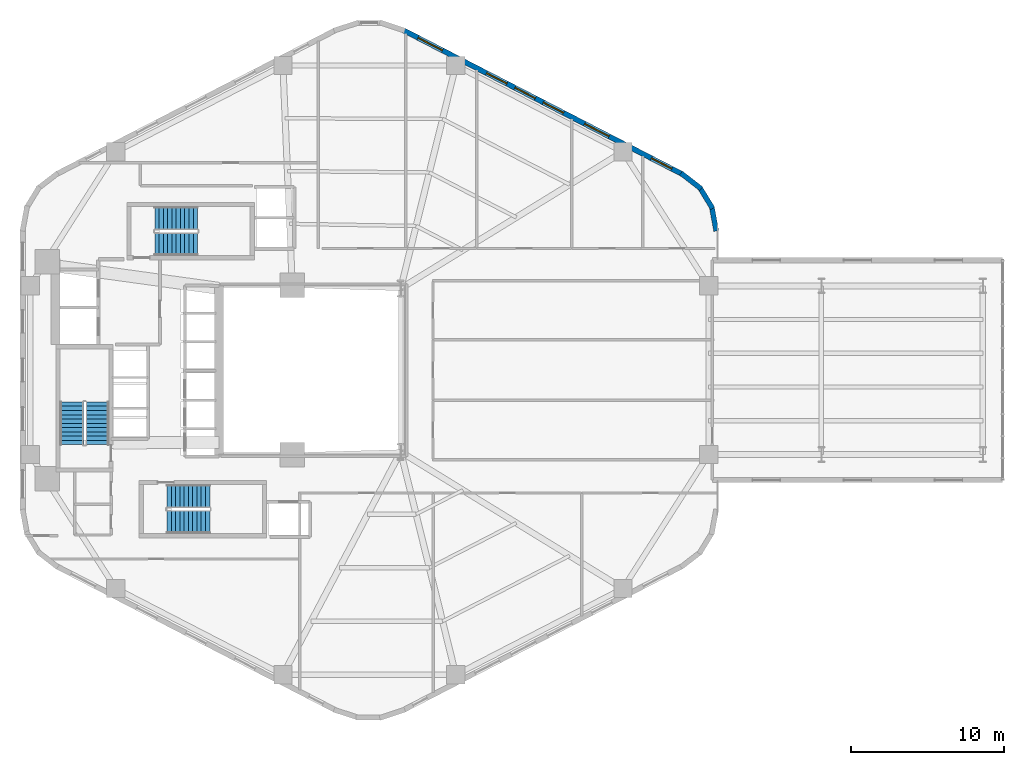
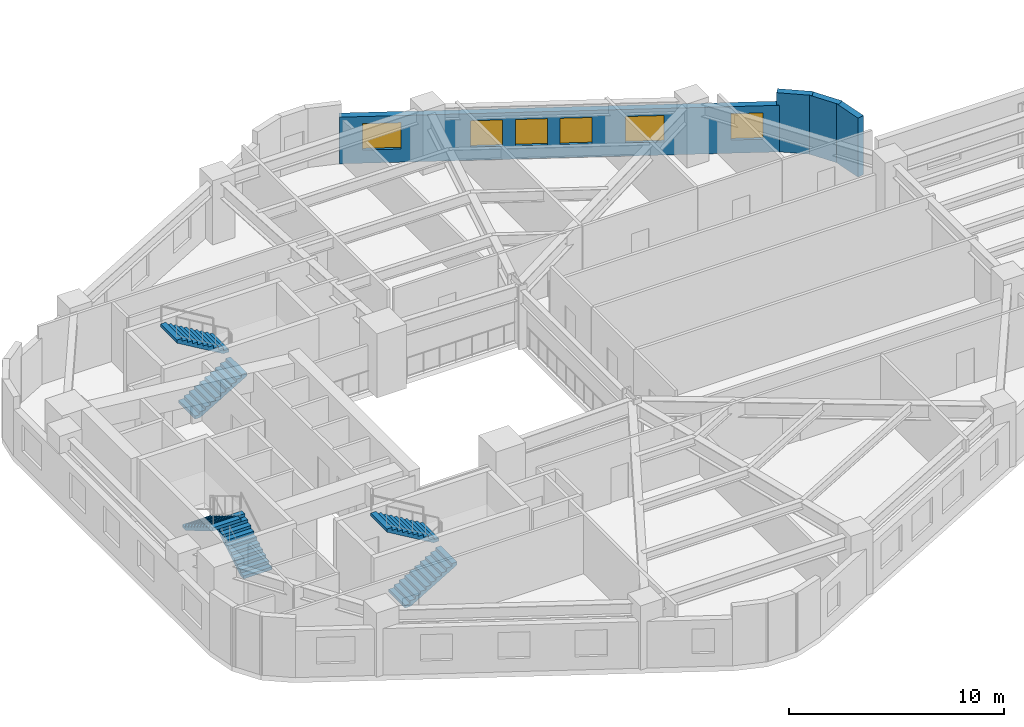
# One storey, part 8 of 10: 6 stair flights, 6 windows, 4 walls, 6 openings, 3 elements without a shape of their own.
"""IFC4 building model written with IfcOpenShell, lengths in metres."""

import ifcopenshell
import ifcopenshell.guid

model = None  # the IFC model being written
_history = None  # IfcOwnerHistory: only IFC2X3 demands one
_inside = {}  # id of a spatial element -> (the spatial element, [elements in it])
_under = {}  # id of a project, library or spatial element -> (it, [spatial elements below it])
_declared = {}  # id of a project -> (the project, [libraries it declares])
_typed = {}  # id of a type object -> (the type object, [elements of that type])
_made_of = {}  # id of a material, layer set ... -> (it, [elements and type objects made of it])


def new_model(schema):
    """Start an empty IFC model of exactly this schema.

    Asked for "IFC4X3", IfcOpenShell would pick the latest addendum, in which some entities
    have other attributes; the version numbers below select the first issue.
    IFC2X3 requires an IfcOwnerHistory on every rooted entity: one is made here for all.
    """
    global model, _history
    if schema == "IFC4X3":
        model = ifcopenshell.file(schema_version=(4, 3, 0, 0))
    else:
        model = ifcopenshell.file(schema=schema)
    _inside.clear()
    _under.clear()
    _declared.clear()
    _typed.clear()
    _made_of.clear()
    _history = None
    if model.schema == "IFC2X3":
        org = make("IfcOrganization", Name="unknown")
        user = make(
            "IfcPersonAndOrganization",
            ThePerson=make("IfcPerson", FamilyName="unknown"),
            TheOrganization=org,
        )
        app = make(
            "IfcApplication",
            ApplicationDeveloper=org,
            Version="unknown",
            ApplicationFullName="unknown",
            ApplicationIdentifier="unknown",
        )
        _history = make(
            "IfcOwnerHistory",
            OwningUser=user,
            OwningApplication=app,
            ChangeAction="ADDED",
            CreationDate=0,
        )
    return model


def make(cls, **values):
    """One entity of the class cls with the attributes given. An attribute that is None is left unset."""
    return model.create_entity(
        cls, **{name: value for name, value in values.items() if value is not None}
    )


def rooted(cls, **values):
    """An entity with a GlobalId (a new one), such as an element, a storey or a relation."""
    return make(cls, GlobalId=ifcopenshell.guid.new(), OwnerHistory=_history, **values)


def si_unit(unit_type, name, prefix=None):
    """IfcSIUnit, for example si_unit("LENGTHUNIT", "METRE", prefix="MILLI")."""
    return make("IfcSIUnit", UnitType=unit_type, Prefix=prefix, Name=name)


def assignment(units):
    """IfcUnitAssignment: the units of a project."""
    return None if units is None else make("IfcUnitAssignment", Units=units)


def point(xyz):
    """IfcCartesianPoint."""
    return None if xyz is None else make("IfcCartesianPoint", Coordinates=xyz)


def direction(xyz):
    """IfcDirection."""
    return None if xyz is None else make("IfcDirection", DirectionRatios=xyz)


def frame(location, z_axis=None, x_axis=None):
    """IfcAxis2Placement3D, a coordinate frame: its origin and axes. An axis left out is left unset."""
    return make(
        "IfcAxis2Placement3D",
        Location=point(location),
        Axis=direction(z_axis),
        RefDirection=direction(x_axis),
    )


def frame_2d(location, x_axis=None):
    """IfcAxis2Placement2D, a coordinate frame in the plane: its origin and x axis."""
    return make(
        "IfcAxis2Placement2D", Location=point(location), RefDirection=direction(x_axis)
    )


def origin():
    """The frame at (0, 0, 0) with its axes left unset."""
    return frame((0.0, 0.0, 0.0))


def place(relative_to, where):
    """IfcLocalPlacement: puts the frame where relative to a parent placement (None: the world)."""
    return make(
        "IfcLocalPlacement", PlacementRelTo=relative_to, RelativePlacement=where
    )


def context(
    kind, dimensions, precision=None, world=None, true_north=None, identifier=None
):
    """IfcGeometricRepresentationContext, for example the 3D "Model" context."""
    return make(
        "IfcGeometricRepresentationContext",
        ContextIdentifier=identifier,
        ContextType=kind,
        CoordinateSpaceDimension=dimensions,
        Precision=precision,
        WorldCoordinateSystem=world,
        TrueNorth=true_north,
    )


def subcontext(parent, identifier, kind, view, scale=None):
    """IfcGeometricRepresentationSubContext, for example "Body" below "Model"."""
    return make(
        "IfcGeometricRepresentationSubContext",
        ContextIdentifier=identifier,
        ContextType=kind,
        ParentContext=parent,
        TargetScale=scale,
        TargetView=view,
    )


def project(units=None, contexts=None):
    """IfcProject with its units and contexts."""
    return rooted(
        "IfcProject",
        Name="project",
        RepresentationContexts=contexts,
        UnitsInContext=assignment(units),
    )


def spatial(cls, under=None, at=None, **own):
    """A site, building, storey or space (cls), placed at a placement, below another one or the project."""
    s = rooted(cls, ObjectPlacement=at, **own)
    if under is not None:
        _under.setdefault(under.id(), (under, []))[1].append(s)
    return s


def polyline(points):
    """IfcPolyline through the points."""
    return make("IfcPolyline", Points=[point(p) for p in points])


def profile(cls, at=None, kind="AREA", **sizes):
    """A parametric profile (cls). Its sizes go by their IFC names, for example OverallWidth=200.0."""
    return make(cls, ProfileType=kind, Position=at, **sizes)


def rectangle(**sizes):
    """IfcRectangleProfileDef."""
    return profile("IfcRectangleProfileDef", **sizes)


def outline(outer, holes=None, kind="AREA"):
    """IfcArbitraryClosedProfileDef: a profile drawn as a closed curve; with holes, ...WithVoids."""
    if holes is None:
        return make("IfcArbitraryClosedProfileDef", ProfileType=kind, OuterCurve=outer)
    return make(
        "IfcArbitraryProfileDefWithVoids",
        ProfileType=kind,
        OuterCurve=outer,
        InnerCurves=holes,
    )


def extrude(swept, where, along, depth):
    """IfcExtrudedAreaSolid: the profile swept, set in the frame where, extruded along a direction by depth."""
    return make(
        "IfcExtrudedAreaSolid",
        SweptArea=swept,
        Position=where,
        ExtrudedDirection=direction(along),
        Depth=depth,
    )


def shape(context_of_items, identifier, shape_type, items):
    """IfcShapeRepresentation: the items that make up one representation, for example the "Body"."""
    return make(
        "IfcShapeRepresentation",
        ContextOfItems=context_of_items,
        RepresentationIdentifier=identifier,
        RepresentationType=shape_type,
        Items=items,
    )


def material(Name=None, Category=None):
    """IfcMaterial."""
    return make("IfcMaterial", Name=Name, Category=Category)


def layer(
    of_material, thickness, ventilated=None, Name=None, Category=None, Priority=None
):
    """IfcMaterialLayer: one layer of a wall or slab, of a material (None: an air gap)."""
    return make(
        "IfcMaterialLayer",
        Material=of_material,
        LayerThickness=thickness,
        IsVentilated=ventilated,
        Name=Name,
        Category=Category,
        Priority=Priority,
    )


def layer_set(layers, Name=None):
    """IfcMaterialLayerSet."""
    return make("IfcMaterialLayerSet", MaterialLayers=layers, LayerSetName=Name)


def made_of(thing, what):
    """Note that an element or type object is made of a material, layer set ...; save() writes the relation."""
    if what is not None:
        _made_of.setdefault(what.id(), (what, []))[1].append(thing)
    return thing


def type_object(cls, material=None, **own):
    """A type object (cls), such as IfcWallType, which elements share."""
    return made_of(rooted(cls, **own), material)


def element(
    cls,
    number,
    at=None,
    inside=None,
    cuts=None,
    type_object=None,
    material=None,
    context=None,
    identifier="Body",
    shape_type=None,
    held_by="IfcProductDefinitionShape",
    body=None,
    shapes=None,
    **own,
):
    """One element of the class cls, such as IfcWall. Its Tag is "e" and its number.

    at: its placement. inside: the storey or other place that contains it. cuts: it is an
    opening in that element (IfcRelVoidsElement). A single representation is given by context,
    identifier, shape_type and body (its items); several are given by shapes. held_by: the class
    of the entity that holds the representations. save() writes the other relations.
    """
    e = rooted(cls, Tag="e%d" % number, ObjectPlacement=at, **own)
    if body is not None:
        shapes = [shape(context, identifier, shape_type, body)]
    if shapes is not None:
        e.Representation = make(held_by, Representations=shapes)
    if inside is not None:
        _inside.setdefault(inside.id(), (inside, []))[1].append(e)
    if cuts is not None:
        rooted(
            "IfcRelVoidsElement", RelatingBuildingElement=cuts, RelatedOpeningElement=e
        )
    if type_object is not None:
        _typed.setdefault(type_object.id(), (type_object, []))[1].append(e)
    return made_of(e, material)


def fill(opening, filler):
    """IfcRelFillsElement: the door or window that sits in an opening."""
    return rooted(
        "IfcRelFillsElement",
        RelatingOpeningElement=opening,
        RelatedBuildingElement=filler,
    )


def aggregate(whole, parts):
    """IfcRelAggregates: a whole, such as a stair, and the parts it consists of."""
    return rooted("IfcRelAggregates", RelatingObject=whole, RelatedObjects=parts)


def save(model, path):
    """Write the relations noted so far, then the file.

    IfcRelAggregates (storeys below a building ...), IfcRelContainedInSpatialStructure (elements
    in a storey), IfcRelDefinesByType, IfcRelAssociatesMaterial and IfcRelDeclares: one each for
    every whole, place, type object, material and project.
    """
    for whole, parts in _under.values():
        aggregate(whole, parts)
    for where, things in _inside.values():
        rooted(
            "IfcRelContainedInSpatialStructure",
            RelatedElements=things,
            RelatingStructure=where,
        )
    for kind, things in _typed.values():
        rooted("IfcRelDefinesByType", RelatedObjects=things, RelatingType=kind)
    for what, things in _made_of.values():
        rooted("IfcRelAssociatesMaterial", RelatedObjects=things, RelatingMaterial=what)
    for by, libraries in _declared.values():
        rooted("IfcRelDeclares", RelatingContext=by, RelatedDefinitions=libraries)
    model.write(path)


model = new_model("IFC4")

# Units and contexts
model_context = context("Model", 3, precision=1e-05, world=origin(), true_north=direction((0.0, 1.0)))
body_context = subcontext(model_context, "Body", "Model", "MODEL_VIEW")
ifc_project = project(units=[si_unit("LENGTHUNIT", "METRE"), si_unit("AREAUNIT", "SQUARE_METRE"), si_unit("VOLUMEUNIT", "CUBIC_METRE"), si_unit("PLANEANGLEUNIT", "RADIAN"), si_unit("MASSUNIT", "GRAM", prefix="KILO"), si_unit("THERMODYNAMICTEMPERATUREUNIT", "KELVIN"), si_unit("POWERUNIT", "WATT")], contexts=[model_context])

# Site, building, storey
site_placement = place(None, origin())
site = spatial("IfcSite", under=ifc_project, at=site_placement, CompositionType="ELEMENT")
building_placement = place(site_placement, origin())
building = spatial("IfcBuilding", under=site, at=building_placement, Name="Skarre Station Tower", CompositionType="ELEMENT")
storey_placement = place(building_placement, frame((0.0, 0.0, 52.550048828125)))
storey = spatial("IfcBuildingStorey", under=building, at=storey_placement, Name="L13", CompositionType="ELEMENT", Elevation=52.550048828125)

# Wall, openings, windows
ifc_material_1 = material(Name="Precast concrete C45/55", Category="concrete")
ifc_layer_1 = layer(ifc_material_1, 0.340087890625, Name="Precast concrete C45/55")
ifc_layer_set_1 = layer_set([ifc_layer_1], Name="Precast concrete C45/55")
wall_type_1 = type_object("IfcWallType", Name="Nordic Honed Precast Facet Wall 340", PredefinedType="STANDARD", material=ifc_layer_set_1)
wall_1_placement = place(storey_placement, frame((39.631103515625, 46.257080078125, 0.0), z_axis=(0.0, 0.0, 1.0), x_axis=(0.888634413993, -0.458616264721, 0.0)))
wall_1 = element("IfcWall", 1, at=wall_1_placement, inside=storey, type_object=wall_type_1, Name="L13 Facet 0 Nordic Precast Masonry Wall", PredefinedType="STANDARD", context=body_context, shape_type="SweptSolid", body=[
    extrude(rectangle(XDim=20.53125, YDim=0.340087890625, at=frame_2d((10.265625, 0.0))), origin(), (0.0, 0.0, 1.0), 2.654052734375),
])
opening_1_placement = place(wall_1_placement, frame((1.075927734375, 0.0, 0.75)))
opening_1 = element("IfcOpeningElement", 2, at=opening_1_placement, cuts=wall_1, Name="Opening WN-Z1A", PredefinedType="OPENING", context=body_context, shape_type="SweptSolid", body=[
    extrude(rectangle(XDim=1.800048828125, YDim=1.5, at=frame_2d((0.89990234375, 0.75))), frame((0.0, 0.179931640625, 0.0), z_axis=(0.0, -1.0, 0.0), x_axis=(1.0, 0.0, 0.0)), (0.0, 0.0, 1.0), 0.360107421875),
])
opening_2_placement = place(wall_1_placement, frame((6.1220703125, 0.0, 0.75)))
opening_2 = element("IfcOpeningElement", 3, at=opening_2_placement, cuts=wall_1, Name="Opening WN-Z1B", PredefinedType="OPENING", context=body_context, shape_type="SweptSolid", body=[
    extrude(rectangle(XDim=1.5, YDim=1.5, at=frame_2d((0.75, 0.75))), frame((0.0, 0.179931640625, 0.0), z_axis=(0.0, -1.0, 0.0), x_axis=(1.0, 0.0, 0.0)), (0.0, 0.0, 1.0), 0.360107421875),
])
opening_3_placement = place(wall_1_placement, frame((8.2109375, 0.0, 0.75)))
opening_3 = element("IfcOpeningElement", 4, at=opening_3_placement, cuts=wall_1, Name="Opening WN-Z1B", PredefinedType="OPENING", context=body_context, shape_type="SweptSolid", body=[
    extrude(rectangle(XDim=1.5, YDim=1.5, at=frame_2d((0.75, 0.75))), frame((0.0, 0.179931640625, 0.0), z_axis=(0.0, -1.0, 0.0), x_axis=(1.0, 0.0, 0.0)), (0.0, 0.0, 1.0), 0.360107421875),
])
opening_4_placement = place(wall_1_placement, frame((10.299072265625, 0.0, 0.75)))
opening_4 = element("IfcOpeningElement", 5, at=opening_4_placement, cuts=wall_1, Name="Opening WN-Z1B", PredefinedType="OPENING", context=body_context, shape_type="SweptSolid", body=[
    extrude(rectangle(XDim=1.5, YDim=1.5, at=frame_2d((0.75, 0.75))), frame((0.0, 0.179931640625, 0.0), z_axis=(0.0, -1.0, 0.0), x_axis=(1.0, 0.0, 0.0)), (0.0, 0.0, 1.0), 0.360107421875),
])
opening_5_placement = place(wall_1_placement, frame((13.35205078125, 0.0, 0.75)))
opening_5 = element("IfcOpeningElement", 6, at=opening_5_placement, cuts=wall_1, Name="Opening WN-Z1A", PredefinedType="OPENING", context=body_context, shape_type="SweptSolid", body=[
    extrude(rectangle(XDim=1.800048828125, YDim=1.5, at=frame_2d((0.89990234375, 0.75))), frame((0.0, 0.179931640625, 0.0), z_axis=(0.0, -1.0, 0.0), x_axis=(1.0, 0.0, 0.0)), (0.0, 0.0, 1.0), 0.360107421875),
])
opening_6_placement = place(wall_1_placement, frame((18.27197265625, 0.0, 0.75)))
opening_6 = element("IfcOpeningElement", 7, at=opening_6_placement, cuts=wall_1, Name="Opening WN-Z1B", PredefinedType="OPENING", context=body_context, shape_type="SweptSolid", body=[
    extrude(rectangle(XDim=1.5, YDim=1.5, at=frame_2d((0.75, 0.75))), frame((0.0, 0.179931640625, 0.0), z_axis=(0.0, -1.0, 0.0), x_axis=(1.0, 0.0, 0.0)), (0.0, 0.0, 1.0), 0.360107421875),
])
ifc_material_2 = material(Name="Low-Iron Triple Glazing with Bronze Anodized Frame", Category="glass")
window_type_1 = type_object("IfcWindowType", Name="Nordic Punched Triple-Glazed Window 1500x1500", PartitioningType="SINGLE_PANEL", PredefinedType="WINDOW", material=ifc_material_2)
window_1_placement = place(opening_2_placement, origin())
window_1 = element("IfcWindow", 8, at=window_1_placement, inside=storey, type_object=window_type_1, Name="L13 Facade Window WL-FAC-L13-F0-2", OverallHeight=1.5, OverallWidth=1.5, PartitioningType="SINGLE_PANEL", PredefinedType="WINDOW", context=body_context, shape_type="SweptSolid", body=[
    extrude(rectangle(XDim=1.5, YDim=1.5, at=frame_2d((0.75, 0.75))), frame((0.0, 0.030029296875, 0.0), z_axis=(0.0, -1.0, 0.0), x_axis=(1.0, 0.0, 0.0)), (0.0, 0.0, 1.0), 0.06005859375),
])
fill(opening_2, window_1)
window_2_placement = place(opening_3_placement, origin())
window_2 = element("IfcWindow", 9, at=window_2_placement, inside=storey, type_object=window_type_1, Name="L13 Facade Window WL-FAC-L13-F0-3", OverallHeight=1.5, OverallWidth=1.5, PartitioningType="SINGLE_PANEL", PredefinedType="WINDOW", context=body_context, shape_type="SweptSolid", body=[
    extrude(rectangle(XDim=1.5, YDim=1.5, at=frame_2d((0.75, 0.75))), frame((0.0, 0.030029296875, 0.0), z_axis=(0.0, -1.0, 0.0), x_axis=(1.0, 0.0, 0.0)), (0.0, 0.0, 1.0), 0.06005859375),
])
fill(opening_3, window_2)
window_3_placement = place(opening_4_placement, origin())
window_3 = element("IfcWindow", 10, at=window_3_placement, inside=storey, type_object=window_type_1, Name="L13 Facade Window WL-FAC-L13-F0-4", OverallHeight=1.5, OverallWidth=1.5, PartitioningType="SINGLE_PANEL", PredefinedType="WINDOW", context=body_context, shape_type="SweptSolid", body=[
    extrude(rectangle(XDim=1.5, YDim=1.5, at=frame_2d((0.75, 0.75))), frame((0.0, 0.030029296875, 0.0), z_axis=(0.0, -1.0, 0.0), x_axis=(1.0, 0.0, 0.0)), (0.0, 0.0, 1.0), 0.06005859375),
])
fill(opening_4, window_3)
window_4_placement = place(opening_6_placement, origin())
window_4 = element("IfcWindow", 11, at=window_4_placement, inside=storey, type_object=window_type_1, Name="L13 Facade Window WL-FAC-L13-F0-6", OverallHeight=1.5, OverallWidth=1.5, PartitioningType="SINGLE_PANEL", PredefinedType="WINDOW", context=body_context, shape_type="SweptSolid", body=[
    extrude(rectangle(XDim=1.5, YDim=1.5, at=frame_2d((0.75, 0.75))), frame((0.0, 0.030029296875, 0.0), z_axis=(0.0, -1.0, 0.0), x_axis=(1.0, 0.0, 0.0)), (0.0, 0.0, 1.0), 0.06005859375),
])
fill(opening_6, window_4)
window_type_2 = type_object("IfcWindowType", Name="Nordic Punched Triple-Glazed Window 1800x1500", PartitioningType="SINGLE_PANEL", PredefinedType="WINDOW", material=ifc_material_2)
window_5_placement = place(opening_1_placement, origin())
window_5 = element("IfcWindow", 12, at=window_5_placement, inside=storey, type_object=window_type_2, Name="L13 Facade Window WL-FAC-L13-F0-1", OverallHeight=1.5, OverallWidth=1.800048828125, PartitioningType="SINGLE_PANEL", PredefinedType="WINDOW", context=body_context, shape_type="SweptSolid", body=[
    extrude(rectangle(XDim=1.800048828125, YDim=1.5, at=frame_2d((0.89990234375, 0.75))), frame((0.0, 0.030029296875, 0.0), z_axis=(0.0, -1.0, 0.0), x_axis=(1.0, 0.0, 0.0)), (0.0, 0.0, 1.0), 0.06005859375),
])
fill(opening_1, window_5)
window_6_placement = place(opening_5_placement, origin())
window_6 = element("IfcWindow", 13, at=window_6_placement, inside=storey, type_object=window_type_2, Name="L13 Facade Window WL-FAC-L13-F0-5", OverallHeight=1.5, OverallWidth=1.800048828125, PartitioningType="SINGLE_PANEL", PredefinedType="WINDOW", context=body_context, shape_type="SweptSolid", body=[
    extrude(rectangle(XDim=1.800048828125, YDim=1.5, at=frame_2d((0.89990234375, 0.75))), frame((0.0, 0.030029296875, 0.0), z_axis=(0.0, -1.0, 0.0), x_axis=(1.0, 0.0, 0.0)), (0.0, 0.0, 1.0), 0.06005859375),
])
fill(opening_5, window_6)

# Walls
ifc_layer_2 = layer(ifc_material_1, 0.330078125, Name="Precast concrete C45/55")
ifc_layer_set_2 = layer_set([ifc_layer_2], Name="Precast concrete C45/55")
wall_type_2 = type_object("IfcWallType", Name="Nordic Rounded Corner Precast Wall 330", PredefinedType="STANDARD", material=ifc_layer_set_2)
wall_2_placement = place(storey_placement, frame((57.802001953125, 36.90087890625, 0.0), z_axis=(0.0, 0.0, 1.0), x_axis=(0.790691856293, -0.61221433207, 0.0)))
element("IfcWall", 14, at=wall_2_placement, inside=storey, type_object=wall_type_2, Name="L13 Rounded Corner Precast Wall F0-1", PredefinedType="STANDARD", context=body_context, shape_type="SweptSolid", body=[
    extrude(rectangle(XDim=1.67578125, YDim=0.330078125, at=frame_2d((0.837890625, 0.0))), origin(), (0.0, 0.0, 1.0), 3.35986328125),
])
wall_3_placement = place(storey_placement, frame((59.001953125, 36.014892578125, 0.0), z_axis=(0.0, 0.0, 1.0), x_axis=(0.520584129191, -0.853810379671, 0.0)))
element("IfcWall", 15, at=wall_3_placement, inside=storey, type_object=wall_type_2, Name="L13 Rounded Corner Precast Wall F0-2", PredefinedType="STANDARD", context=body_context, shape_type="SweptSolid", body=[
    extrude(rectangle(XDim=1.677001953125, YDim=0.330078125, at=frame_2d((0.83837890625, 0.0))), origin(), (0.0, 0.0, 1.0), 3.35986328125),
])
wall_4_placement = place(storey_placement, frame((59.80810546875, 34.758056640625, 0.0), z_axis=(0.0, 0.0, 1.0), x_axis=(0.181714143354, -0.983351397063, 0.0)))
element("IfcWall", 16, at=wall_4_placement, inside=storey, type_object=wall_type_2, Name="L13 Rounded Corner Precast Wall F0-3", PredefinedType="STANDARD", context=body_context, shape_type="SweptSolid", body=[
    extrude(rectangle(XDim=1.677978515625, YDim=0.330078125, at=frame_2d((0.8388671875, 0.0))), origin(), (0.0, 0.0, 1.0), 3.35986328125),
])

# Stair, stair flights
ifc_material_3 = material(Name="Concrete C40/50", Category="concrete")
stair_type_1 = type_object("IfcStairType", Name="Reinforced Concrete Exit Stair ST-1", PredefinedType="HALF_TURN_STAIR", material=ifc_material_3)
stair_1_placement = place(storey_placement, origin())
stair_1 = element("IfcStair", 17, at=stair_1_placement, inside=storey, type_object=stair_type_1, Name="L13 Core Exit Stair ST-1", PredefinedType="HALF_TURN_STAIR")
stair_flight_type_1 = type_object("IfcStairFlightType", Name="Reinforced Concrete Stair Flight ST-1", PredefinedType="STRAIGHT", material=ifc_material_3)
stair_flight_1_placement = place(storey_placement, frame((19.590087890625, 19.1201171875, 0.0), z_axis=(0.0, 0.0, 1.0), x_axis=(0.0, 1.0, 0.0)))
stair_flight_1 = element("IfcStairFlight", 18, at=stair_flight_1_placement, type_object=stair_flight_type_1, Name="ST-1 flight 1", NumberOfRisers=11, NumberOfTreads=10, PredefinedType="STRAIGHT", RiserHeight=0.165909091, TreadLength=0.28, context=body_context, shape_type="SweptSolid", body=[
    extrude(outline(polyline([(0.0, 0.0), (0.0, 0.166015625), (0.280029296875, 0.166015625), (0.280029296875, 0.331787109375), (0.56005859375, 0.331787109375), (0.56005859375, 0.497802734375), (0.840087890625, 0.497802734375), (0.840087890625, 0.66357421875), (1.1201171875, 0.66357421875), (1.1201171875, 0.82958984375), (1.39990234375, 0.82958984375), (1.39990234375, 0.995361328125), (1.679931640625, 0.995361328125), (1.679931640625, 1.161376953125), (1.9599609375, 1.161376953125), (1.9599609375, 1.327392578125), (2.239990234375, 1.327392578125), (2.239990234375, 1.4931640625), (2.52001953125, 1.4931640625), (2.52001953125, 1.6591796875), (2.800048828125, 1.6591796875), (2.800048828125, 1.824951171875), (2.800048828125, 1.48486328125), (0.2939453125, 0.0), (0.0, 0.0)])), frame((0.0, 0.760009765625, 0.0), z_axis=(0.0, -1.0, 0.0), x_axis=(1.0, 0.0, 0.0)), (0.0, 0.0, 1.0), 1.52001953125),
])
stair_flight_2_placement = place(storey_placement, frame((17.909912109375, 21.919921875, 1.824951171875), z_axis=(0.0, 0.0, 1.0), x_axis=(0.0, -1.0, 0.0)))
stair_flight_2 = element("IfcStairFlight", 19, at=stair_flight_2_placement, type_object=stair_flight_type_1, Name="ST-1 flight 2", NumberOfRisers=11, NumberOfTreads=10, PredefinedType="STRAIGHT", RiserHeight=0.165909091, TreadLength=0.28, context=body_context, shape_type="SweptSolid", body=[
    extrude(outline(polyline([(0.0, 0.0), (0.0, 0.166015625), (0.280029296875, 0.166015625), (0.280029296875, 0.331787109375), (0.56005859375, 0.331787109375), (0.56005859375, 0.497802734375), (0.840087890625, 0.497802734375), (0.840087890625, 0.66357421875), (1.1201171875, 0.66357421875), (1.1201171875, 0.82958984375), (1.39990234375, 0.82958984375), (1.39990234375, 0.995361328125), (1.679931640625, 0.995361328125), (1.679931640625, 1.161376953125), (1.9599609375, 1.161376953125), (1.9599609375, 1.327392578125), (2.239990234375, 1.327392578125), (2.239990234375, 1.4931640625), (2.52001953125, 1.4931640625), (2.52001953125, 1.6591796875), (2.800048828125, 1.6591796875), (2.800048828125, 1.824951171875), (2.800048828125, 1.48486328125), (0.2939453125, 0.0), (0.0, 0.0)])), frame((0.0, 0.760009765625, 0.0), z_axis=(0.0, -1.0, 0.0), x_axis=(1.0, 0.0, 0.0)), (0.0, 0.0, 1.0), 1.52001953125),
])
aggregate(stair_1, [stair_flight_1, stair_flight_2])

stair_type_2 = type_object("IfcStairType", Name="Reinforced Concrete Exit Stair ST-2", PredefinedType="HALF_TURN_STAIR", material=ifc_material_3)
stair_2_placement = place(storey_placement, origin())
stair_2 = element("IfcStair", 20, at=stair_2_placement, inside=storey, type_object=stair_type_2, Name="L13 Core Exit Stair ST-2", PredefinedType="HALF_TURN_STAIR")
stair_flight_type_2 = type_object("IfcStairFlightType", Name="Reinforced Concrete Stair Flight ST-2", PredefinedType="STRAIGHT", material=ifc_material_3)
stair_flight_3_placement = place(storey_placement, frame((24.14990234375, 14.06005859375, 0.0), z_axis=(0.0, 0.0, 1.0), x_axis=(1.0, 0.0, 0.0)))
stair_flight_3 = element("IfcStairFlight", 21, at=stair_flight_3_placement, type_object=stair_flight_type_2, Name="ST-2 flight 1", NumberOfRisers=11, NumberOfTreads=10, PredefinedType="STRAIGHT", RiserHeight=0.165909091, TreadLength=0.28, context=body_context, shape_type="SweptSolid", body=[
    extrude(outline(polyline([(0.0, 0.0), (0.0, 0.166015625), (0.280029296875, 0.166015625), (0.280029296875, 0.331787109375), (0.56005859375, 0.331787109375), (0.56005859375, 0.497802734375), (0.840087890625, 0.497802734375), (0.840087890625, 0.66357421875), (1.1201171875, 0.66357421875), (1.1201171875, 0.82958984375), (1.39990234375, 0.82958984375), (1.39990234375, 0.995361328125), (1.679931640625, 0.995361328125), (1.679931640625, 1.161376953125), (1.9599609375, 1.161376953125), (1.9599609375, 1.327392578125), (2.239990234375, 1.327392578125), (2.239990234375, 1.4931640625), (2.52001953125, 1.4931640625), (2.52001953125, 1.6591796875), (2.800048828125, 1.6591796875), (2.800048828125, 1.824951171875), (2.800048828125, 1.48486328125), (0.2939453125, 0.0), (0.0, 0.0)])), frame((0.0, 0.760009765625, 0.0), z_axis=(0.0, -1.0, 0.0), x_axis=(1.0, 0.0, 0.0)), (0.0, 0.0, 1.0), 1.52001953125),
])
stair_flight_4_placement = place(storey_placement, frame((26.949951171875, 15.739990234375, 1.824951171875), z_axis=(0.0, 0.0, 1.0), x_axis=(-1.0, 0.0, 0.0)))
stair_flight_4 = element("IfcStairFlight", 22, at=stair_flight_4_placement, type_object=stair_flight_type_2, Name="ST-2 flight 2", NumberOfRisers=11, NumberOfTreads=10, PredefinedType="STRAIGHT", RiserHeight=0.165909091, TreadLength=0.28, context=body_context, shape_type="SweptSolid", body=[
    extrude(outline(polyline([(0.0, 0.0), (0.0, 0.166015625), (0.280029296875, 0.166015625), (0.280029296875, 0.331787109375), (0.56005859375, 0.331787109375), (0.56005859375, 0.497802734375), (0.840087890625, 0.497802734375), (0.840087890625, 0.66357421875), (1.1201171875, 0.66357421875), (1.1201171875, 0.82958984375), (1.39990234375, 0.82958984375), (1.39990234375, 0.995361328125), (1.679931640625, 0.995361328125), (1.679931640625, 1.161376953125), (1.9599609375, 1.161376953125), (1.9599609375, 1.327392578125), (2.239990234375, 1.327392578125), (2.239990234375, 1.4931640625), (2.52001953125, 1.4931640625), (2.52001953125, 1.6591796875), (2.800048828125, 1.6591796875), (2.800048828125, 1.824951171875), (2.800048828125, 1.48486328125), (0.2939453125, 0.0), (0.0, 0.0)])), frame((0.0, 0.760009765625, 0.0), z_axis=(0.0, -1.0, 0.0), x_axis=(1.0, 0.0, 0.0)), (0.0, 0.0, 1.0), 1.52001953125),
])
aggregate(stair_2, [stair_flight_3, stair_flight_4])

stair_type_3 = type_object("IfcStairType", Name="Reinforced Concrete Exit Stair ST-3", PredefinedType="HALF_TURN_STAIR", material=ifc_material_3)
stair_3_placement = place(storey_placement, origin())
stair_3 = element("IfcStair", 23, at=stair_3_placement, inside=storey, type_object=stair_type_3, Name="L13 Core Exit Stair ST-3", PredefinedType="HALF_TURN_STAIR")
stair_flight_type_3 = type_object("IfcStairFlightType", Name="Reinforced Concrete Stair Flight ST-3", PredefinedType="STRAIGHT", material=ifc_material_3)
stair_flight_5_placement = place(storey_placement, frame((23.35009765625, 32.260009765625, 0.0), z_axis=(0.0, 0.0, 1.0), x_axis=(1.0, 0.0, 0.0)))
stair_flight_5 = element("IfcStairFlight", 24, at=stair_flight_5_placement, type_object=stair_flight_type_3, Name="ST-3 flight 1", NumberOfRisers=11, NumberOfTreads=10, PredefinedType="STRAIGHT", RiserHeight=0.165909091, TreadLength=0.28, context=body_context, shape_type="SweptSolid", body=[
    extrude(outline(polyline([(0.0, 0.0), (0.0, 0.166015625), (0.280029296875, 0.166015625), (0.280029296875, 0.331787109375), (0.56005859375, 0.331787109375), (0.56005859375, 0.497802734375), (0.840087890625, 0.497802734375), (0.840087890625, 0.66357421875), (1.1201171875, 0.66357421875), (1.1201171875, 0.82958984375), (1.39990234375, 0.82958984375), (1.39990234375, 0.995361328125), (1.679931640625, 0.995361328125), (1.679931640625, 1.161376953125), (1.9599609375, 1.161376953125), (1.9599609375, 1.327392578125), (2.239990234375, 1.327392578125), (2.239990234375, 1.4931640625), (2.52001953125, 1.4931640625), (2.52001953125, 1.6591796875), (2.800048828125, 1.6591796875), (2.800048828125, 1.824951171875), (2.800048828125, 1.48486328125), (0.2939453125, 0.0), (0.0, 0.0)])), frame((0.0, 0.760009765625, 0.0), z_axis=(0.0, -1.0, 0.0), x_axis=(1.0, 0.0, 0.0)), (0.0, 0.0, 1.0), 1.52001953125),
])
stair_flight_6_placement = place(storey_placement, frame((26.14990234375, 33.93994140625, 1.824951171875), z_axis=(0.0, 0.0, 1.0), x_axis=(-1.0, 0.0, 0.0)))
stair_flight_6 = element("IfcStairFlight", 25, at=stair_flight_6_placement, type_object=stair_flight_type_3, Name="ST-3 flight 2", NumberOfRisers=11, NumberOfTreads=10, PredefinedType="STRAIGHT", RiserHeight=0.165909091, TreadLength=0.28, context=body_context, shape_type="SweptSolid", body=[
    extrude(outline(polyline([(0.0, 0.0), (0.0, 0.166015625), (0.280029296875, 0.166015625), (0.280029296875, 0.331787109375), (0.56005859375, 0.331787109375), (0.56005859375, 0.497802734375), (0.840087890625, 0.497802734375), (0.840087890625, 0.66357421875), (1.1201171875, 0.66357421875), (1.1201171875, 0.82958984375), (1.39990234375, 0.82958984375), (1.39990234375, 0.995361328125), (1.679931640625, 0.995361328125), (1.679931640625, 1.161376953125), (1.9599609375, 1.161376953125), (1.9599609375, 1.327392578125), (2.239990234375, 1.327392578125), (2.239990234375, 1.4931640625), (2.52001953125, 1.4931640625), (2.52001953125, 1.6591796875), (2.800048828125, 1.6591796875), (2.800048828125, 1.824951171875), (2.800048828125, 1.48486328125), (0.2939453125, 0.0), (0.0, 0.0)])), frame((0.0, 0.760009765625, 0.0), z_axis=(0.0, -1.0, 0.0), x_axis=(1.0, 0.0, 0.0)), (0.0, 0.0, 1.0), 1.52001953125),
])
aggregate(stair_3, [stair_flight_5, stair_flight_6])

save(model, "model.ifc")
